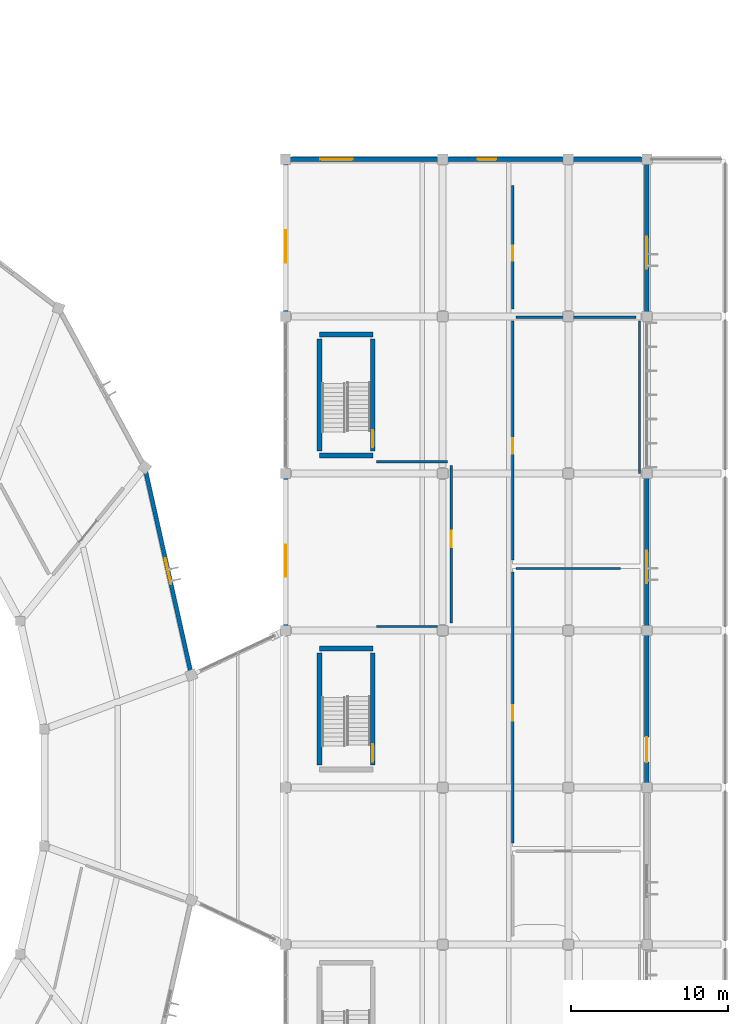
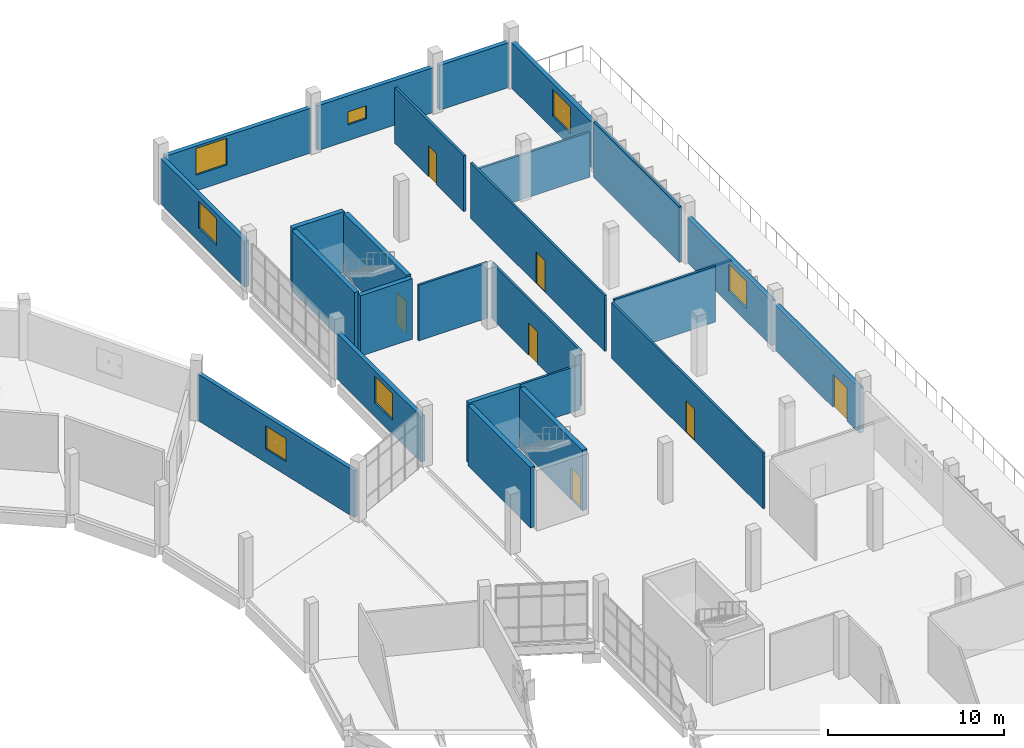
# One storey, part 106 of 142: 25 walls, 7 doors, 7 windows, 14 openings.
"""IFC4 building model written with IfcOpenShell, lengths in metres."""

from ifc_helpers import new_model, si_unit, direction, frame, frame_2d, origin, place, context, subcontext, project, spatial, rectangle, extrude, material, layer, layer_set, type_object, element, fill, save


model = new_model("IFC4")

# Units and contexts
model_context = context("Model", 3, precision=1e-05, world=origin(), true_north=direction((0.0, 1.0)))
body_context = subcontext(model_context, "Body", "Model", "MODEL_VIEW")
ifc_project = project(units=[si_unit("LENGTHUNIT", "METRE"), si_unit("AREAUNIT", "SQUARE_METRE"), si_unit("VOLUMEUNIT", "CUBIC_METRE"), si_unit("PLANEANGLEUNIT", "RADIAN"), si_unit("MASSUNIT", "GRAM", prefix="KILO")], contexts=[model_context])

# Site, building, storey
site_placement = place(None, origin())
site = spatial("IfcSite", under=ifc_project, at=site_placement, CompositionType="ELEMENT")
building_placement = place(site_placement, origin())
building = spatial("IfcBuilding", under=site, at=building_placement, Name="Corvandel Quay Wholesale Market", CompositionType="ELEMENT")
storey_placement = place(building_placement, frame((0.0, 0.0, 10.800048828125)))
storey = spatial("IfcBuildingStorey", under=building, at=storey_placement, Name="L02", CompositionType="ELEMENT", Elevation=10.800048828125)

# Wall, opening, door
ifc_material_1 = material(Name="Buff-pigmented precast concrete C45/55", Category="concrete")
ifc_layer_1 = layer(ifc_material_1, 0.280029296875)
ifc_layer_set_1 = layer_set([ifc_layer_1], Name="Buff-pigmented precast concrete C45/55")
wall_type_1 = type_object("IfcWallType", Name="Colonnade Spandrel Precast Wall EW07 280", PredefinedType="SOLIDWALL", material=ifc_layer_set_1)
wall_1_placement = place(storey_placement, frame((243.0, 60.219970703125, 0.0), z_axis=(0.0, 0.0, 1.0), x_axis=(0.0, 1.0, 0.0)))
wall_1 = element("IfcWall", 1, at=wall_1_placement, inside=storey, type_object=wall_type_1, Name="Exterior Wall EW-0371", PredefinedType="SOLIDWALL", context=body_context, shape_type="SweptSolid", body=[
    extrude(rectangle(XDim=9.56005859375, YDim=0.280029296875, at=frame_2d((4.780029296875, 0.0))), origin(), (0.0, 0.0, 1.0), 3.159912109375),
])
opening_1_placement = place(wall_1_placement, frame((1.39990234375, 0.0, 0.0)))
opening_1 = element("IfcOpeningElement", 2, at=opening_1_placement, cuts=wall_1, Name="Opening L02-D006", PredefinedType="OPENING", context=body_context, shape_type="SweptSolid", body=[
    extrude(rectangle(XDim=1.60009765625, YDim=2.300048828125, at=frame_2d((0.800048828125, 1.14990234375))), frame((0.0, 0.14990234375, 0.0), z_axis=(0.0, -1.0, 0.0), x_axis=(1.0, 0.0, 0.0)), (0.0, 0.0, 1.0), 0.300048828125),
])
ifc_material_2 = material(Name="Bronze anodised aluminium and low-E glass", Category="aluminium")
door_type_1 = type_object("IfcDoorType", Name="Terrace Garden Access Door ED04 1600x2300", OperationType="DOUBLE_DOOR_SINGLE_SWING", PredefinedType="DOOR", material=ifc_material_2)
door_1_placement = place(opening_1_placement, origin())
door_1 = element("IfcDoor", 3, at=door_1_placement, inside=storey, type_object=door_type_1, Name="Harbour Setback Terrace Door L02-60", OperationType="DOUBLE_DOOR_SINGLE_SWING", OverallHeight=2.300048828125, OverallWidth=1.60009765625, PredefinedType="DOOR", context=body_context, shape_type="SweptSolid", body=[
    extrude(rectangle(XDim=1.60009765625, YDim=2.300048828125, at=frame_2d((0.800048828125, 1.14990234375))), frame((0.0, 0.02490234375, 0.0), z_axis=(0.0, -1.0, 0.0), x_axis=(1.0, 0.0, 0.0)), (0.0, 0.0, 1.0), 0.050048828125),
])
fill(opening_1, door_1)

# Wall, opening, window
wall_2_placement = place(storey_placement, frame((243.0, 70.219970703125, 0.0), z_axis=(0.0, 0.0, 1.0), x_axis=(0.0, 1.0, 0.0)))
wall_2 = element("IfcWall", 4, at=wall_2_placement, inside=storey, type_object=wall_type_1, Name="Exterior Wall EW-0372", PredefinedType="SOLIDWALL", context=body_context, shape_type="SweptSolid", body=[
    extrude(rectangle(XDim=9.56005859375, YDim=0.280029296875, at=frame_2d((4.780029296875, 0.0))), origin(), (0.0, 0.0, 1.0), 3.159912109375),
])
opening_2_placement = place(wall_2_placement, frame((2.800048828125, 0.0, 0.89990234375)))
opening_2 = element("IfcOpeningElement", 5, at=opening_2_placement, cuts=wall_2, Name="Opening L02-W067", PredefinedType="OPENING", context=body_context, shape_type="SweptSolid", body=[
    extrude(rectangle(XDim=2.050048828125, YDim=1.85009765625, at=frame_2d((1.02490234375, 0.925048828125))), frame((0.0, 0.14990234375, 0.0), z_axis=(0.0, -1.0, 0.0), x_axis=(1.0, 0.0, 0.0)), (0.0, 0.0, 1.0), 0.300048828125),
])
ifc_material_3 = material(Name="Thermally broken bronze anodised aluminium and solar-control low-E double glazing", Category="aluminium")
window_type_1 = type_object("IfcWindowType", Name="Traders Office Module Window WN19 2050x1850", PartitioningType="SINGLE_PANEL", PredefinedType="WINDOW", material=ifc_material_3)
window_1_placement = place(opening_2_placement, origin())
window_1 = element("IfcWindow", 6, at=window_1_placement, inside=storey, type_object=window_type_1, Name="Window L02-W067", OverallHeight=1.85009765625, OverallWidth=2.050048828125, PartitioningType="SINGLE_PANEL", PredefinedType="WINDOW", context=body_context, shape_type="SweptSolid", body=[
    extrude(rectangle(XDim=2.050048828125, YDim=1.85009765625, at=frame_2d((1.02490234375, 0.925048828125))), frame((0.0, 0.030029296875, 0.0), z_axis=(0.0, -1.0, 0.0), x_axis=(1.0, 0.0, 0.0)), (0.0, 0.0, 1.0), 0.06005859375),
])
fill(opening_2, window_1)

wall_3_placement = place(storey_placement, frame((220.0, 70.219970703125, 0.0), z_axis=(0.0, 0.0, 1.0), x_axis=(0.0, 1.0, 0.0)))
wall_3 = element("IfcWall", 7, at=wall_3_placement, inside=storey, type_object=wall_type_1, Name="Exterior Wall EW-0373", PredefinedType="SOLIDWALL", context=body_context, shape_type="SweptSolid", body=[
    extrude(rectangle(XDim=9.56005859375, YDim=0.280029296875, at=frame_2d((4.780029296875, 0.0))), origin(), (0.0, 0.0, 1.0), 3.159912109375),
])
opening_3_placement = place(wall_3_placement, frame((3.199951171875, 0.0, 0.949951171875)))
opening_3 = element("IfcOpeningElement", 8, at=opening_3_placement, cuts=wall_3, Name="Opening L02-W068", PredefinedType="OPENING", context=body_context, shape_type="SweptSolid", body=[
    extrude(rectangle(XDim=2.050048828125, YDim=1.85009765625, at=frame_2d((1.02490234375, 0.925048828125))), frame((0.0, 0.14990234375, 0.0), z_axis=(0.0, -1.0, 0.0), x_axis=(1.0, 0.0, 0.0)), (0.0, 0.0, 1.0), 0.300048828125),
])
window_2_placement = place(opening_3_placement, origin())
window_2 = element("IfcWindow", 9, at=window_2_placement, inside=storey, type_object=window_type_1, Name="Window L02-W068", OverallHeight=1.85009765625, OverallWidth=2.050048828125, PartitioningType="SINGLE_PANEL", PredefinedType="WINDOW", context=body_context, shape_type="SweptSolid", body=[
    extrude(rectangle(XDim=2.050048828125, YDim=1.85009765625, at=frame_2d((1.02490234375, 0.925048828125))), frame((0.0, 0.030029296875, 0.0), z_axis=(0.0, -1.0, 0.0), x_axis=(1.0, 0.0, 0.0)), (0.0, 0.0, 1.0), 0.06005859375),
])
fill(opening_3, window_2)

wall_4_placement = place(storey_placement, frame((243.0, 90.219970703125, 0.0), z_axis=(0.0, 0.0, 1.0), x_axis=(0.0, 1.0, 0.0)))
wall_4 = element("IfcWall", 10, at=wall_4_placement, inside=storey, type_object=wall_type_1, Name="Exterior Wall EW-0374", PredefinedType="SOLIDWALL", context=body_context, shape_type="SweptSolid", body=[
    extrude(rectangle(XDim=9.56005859375, YDim=0.280029296875, at=frame_2d((4.780029296875, 0.0))), origin(), (0.0, 0.0, 1.0), 3.159912109375),
])
opening_4_placement = place(wall_4_placement, frame((2.800048828125, 0.0, 0.89990234375)))
opening_4 = element("IfcOpeningElement", 11, at=opening_4_placement, cuts=wall_4, Name="Opening L02-W069", PredefinedType="OPENING", context=body_context, shape_type="SweptSolid", body=[
    extrude(rectangle(XDim=2.050048828125, YDim=1.85009765625, at=frame_2d((1.02490234375, 0.925048828125))), frame((0.0, 0.14990234375, 0.0), z_axis=(0.0, -1.0, 0.0), x_axis=(1.0, 0.0, 0.0)), (0.0, 0.0, 1.0), 0.300048828125),
])
window_3_placement = place(opening_4_placement, origin())
window_3 = element("IfcWindow", 12, at=window_3_placement, inside=storey, type_object=window_type_1, Name="Window L02-W069", OverallHeight=1.85009765625, OverallWidth=2.050048828125, PartitioningType="SINGLE_PANEL", PredefinedType="WINDOW", context=body_context, shape_type="SweptSolid", body=[
    extrude(rectangle(XDim=2.050048828125, YDim=1.85009765625, at=frame_2d((1.02490234375, 0.925048828125))), frame((0.0, 0.030029296875, 0.0), z_axis=(0.0, -1.0, 0.0), x_axis=(1.0, 0.0, 0.0)), (0.0, 0.0, 1.0), 0.06005859375),
])
fill(opening_4, window_3)

wall_5_placement = place(storey_placement, frame((220.0, 90.219970703125, 0.0), z_axis=(0.0, 0.0, 1.0), x_axis=(0.0, 1.0, 0.0)))
wall_5 = element("IfcWall", 13, at=wall_5_placement, inside=storey, type_object=wall_type_1, Name="Exterior Wall EW-0375", PredefinedType="SOLIDWALL", context=body_context, shape_type="SweptSolid", body=[
    extrude(rectangle(XDim=9.56005859375, YDim=0.280029296875, at=frame_2d((4.780029296875, 0.0))), origin(), (0.0, 0.0, 1.0), 3.159912109375),
])
opening_5_placement = place(wall_5_placement, frame((3.199951171875, 0.0, 0.949951171875)))
opening_5 = element("IfcOpeningElement", 14, at=opening_5_placement, cuts=wall_5, Name="Opening L02-W070", PredefinedType="OPENING", context=body_context, shape_type="SweptSolid", body=[
    extrude(rectangle(XDim=2.050048828125, YDim=1.85009765625, at=frame_2d((1.02490234375, 0.925048828125))), frame((0.0, 0.14990234375, 0.0), z_axis=(0.0, -1.0, 0.0), x_axis=(1.0, 0.0, 0.0)), (0.0, 0.0, 1.0), 0.300048828125),
])
window_4_placement = place(opening_5_placement, origin())
window_4 = element("IfcWindow", 15, at=window_4_placement, inside=storey, type_object=window_type_1, Name="Window L02-W070", OverallHeight=1.85009765625, OverallWidth=2.050048828125, PartitioningType="SINGLE_PANEL", PredefinedType="WINDOW", context=body_context, shape_type="SweptSolid", body=[
    extrude(rectangle(XDim=2.050048828125, YDim=1.85009765625, at=frame_2d((1.02490234375, 0.925048828125))), frame((0.0, 0.030029296875, 0.0), z_axis=(0.0, -1.0, 0.0), x_axis=(1.0, 0.0, 0.0)), (0.0, 0.0, 1.0), 0.06005859375),
])
fill(opening_5, window_4)

wall_6_placement = place(storey_placement, frame((220.219970703125, 100.0, 0.0), z_axis=(0.0, 0.0, 1.0), x_axis=(1.0, 0.0, 0.0)))
wall_6 = element("IfcWall", 16, at=wall_6_placement, inside=storey, type_object=wall_type_1, Name="Exterior Wall EW-0377", PredefinedType="SOLIDWALL", context=body_context, shape_type="SweptSolid", body=[
    extrude(rectangle(XDim=9.56005859375, YDim=0.280029296875, at=frame_2d((4.780029296875, 0.0))), origin(), (0.0, 0.0, 1.0), 3.10986328125),
])
opening_6_placement = place(wall_6_placement, frame((2.0, 0.0, 1.10009765625)))
opening_6 = element("IfcOpeningElement", 17, at=opening_6_placement, cuts=wall_6, Name="Opening L02-W072", PredefinedType="OPENING", context=body_context, shape_type="SweptSolid", body=[
    extrude(rectangle(XDim=2.050048828125, YDim=1.85009765625, at=frame_2d((1.02490234375, 0.925048828125))), frame((0.0, 0.14990234375, 0.0), z_axis=(0.0, -1.0, 0.0), x_axis=(1.0, 0.0, 0.0)), (0.0, 0.0, 1.0), 0.300048828125),
])
window_5_placement = place(opening_6_placement, origin())
window_5 = element("IfcWindow", 18, at=window_5_placement, inside=storey, type_object=window_type_1, Name="Window L02-W072", OverallHeight=1.85009765625, OverallWidth=2.050048828125, PartitioningType="SINGLE_PANEL", PredefinedType="WINDOW", context=body_context, shape_type="SweptSolid", body=[
    extrude(rectangle(XDim=2.050048828125, YDim=1.85009765625, at=frame_2d((1.02490234375, 0.925048828125))), frame((0.0, 0.030029296875, 0.0), z_axis=(0.0, -1.0, 0.0), x_axis=(1.0, 0.0, 0.0)), (0.0, 0.0, 1.0), 0.06005859375),
])
fill(opening_6, window_5)

wall_7_placement = place(storey_placement, frame((230.219970703125, 100.0, 0.0), z_axis=(0.0, 0.0, 1.0), x_axis=(1.0, 0.0, 0.0)))
wall_7 = element("IfcWall", 19, at=wall_7_placement, inside=storey, type_object=wall_type_1, Name="Exterior Wall EW-0379", PredefinedType="SOLIDWALL", context=body_context, shape_type="SweptSolid", body=[
    extrude(rectangle(XDim=7.56005859375, YDim=0.280029296875, at=frame_2d((3.780029296875, 0.0))), origin(), (0.0, 0.0, 1.0), 3.10986328125),
])
opening_7_placement = place(wall_7_placement, frame((2.0, 0.0, 1.10009765625)))
opening_7 = element("IfcOpeningElement", 20, at=opening_7_placement, cuts=wall_7, Name="Opening L02-W074", PredefinedType="OPENING", context=body_context, shape_type="SweptSolid", body=[
    extrude(rectangle(XDim=1.199951171875, YDim=0.89990234375, at=frame_2d((0.60009765625, 0.449951171875))), frame((0.0, 0.14990234375, 0.0), z_axis=(0.0, -1.0, 0.0), x_axis=(1.0, 0.0, 0.0)), (0.0, 0.0, 1.0), 0.300048828125),
])
window_type_2 = type_object("IfcWindowType", Name="Restroom Frosted Clerestory WN22 1200x900", PartitioningType="SINGLE_PANEL", PredefinedType="WINDOW", material=ifc_material_3)
window_6_placement = place(opening_7_placement, origin())
window_6 = element("IfcWindow", 21, at=window_6_placement, inside=storey, type_object=window_type_2, Name="Window L02-W074", OverallHeight=0.89990234375, OverallWidth=1.199951171875, PartitioningType="SINGLE_PANEL", PredefinedType="WINDOW", context=body_context, shape_type="SweptSolid", body=[
    extrude(rectangle(XDim=1.199951171875, YDim=0.89990234375, at=frame_2d((0.60009765625, 0.449951171875))), frame((0.0, 0.030029296875, 0.0), z_axis=(0.0, -1.0, 0.0), x_axis=(1.0, 0.0, 0.0)), (0.0, 0.0, 1.0), 0.06005859375),
])
fill(opening_7, window_6)

# Wall
wall_8_placement = place(storey_placement, frame((238.219970703125, 100.0, 0.0), z_axis=(0.0, 0.0, 1.0), x_axis=(1.0, 0.0, 0.0)))
element("IfcWall", 22, at=wall_8_placement, inside=storey, type_object=wall_type_1, Name="Exterior Wall EW-0381", PredefinedType="SOLIDWALL", context=body_context, shape_type="SweptSolid", body=[
    extrude(rectangle(XDim=4.56005859375, YDim=0.280029296875, at=frame_2d((2.280029296875, 0.0))), origin(), (0.0, 0.0, 1.0), 3.10986328125),
])

# Wall, opening, door
ifc_material_4 = material(Name="Double-layer acoustic gypsum stud partition")
ifc_layer_2 = layer(ifc_material_4, 0.139892578125)
ifc_layer_set_2 = layer_set([ifc_layer_2], Name="Double-layer acoustic gypsum stud partition")
wall_type_2 = type_object("IfcWallType", Name="Office Acoustic Partition PT07 140", PredefinedType="PARTITIONING", material=ifc_layer_set_2)
wall_9_placement = place(storey_placement, frame((234.4599609375, 56.47998046875, 0.0), z_axis=(0.0, 0.0, 1.0), x_axis=(0.0, 1.0, 0.0)))
wall_9 = element("IfcWall", 23, at=wall_9_placement, inside=storey, type_object=wall_type_2, Name="Interior Wall IW-0894", PredefinedType="PARTITIONING", context=body_context, shape_type="SweptSolid", body=[
    extrude(rectangle(XDim=17.239990234375, YDim=0.139892578125, at=frame_2d((8.6201171875, 0.0))), origin(), (0.0, 0.0, 1.0), 3.85986328125),
])
opening_8_placement = place(wall_9_placement, frame((7.77001953125, 0.0, 0.0)))
opening_8 = element("IfcOpeningElement", 24, at=opening_8_placement, cuts=wall_9, Name="Opening L02-D051", PredefinedType="OPENING", context=body_context, shape_type="SweptSolid", body=[
    extrude(rectangle(XDim=1.0, YDim=2.199951171875, at=frame_2d((0.5, 1.10009765625))), frame((0.0, 0.079833984375, 0.0), z_axis=(0.0, -1.0, 0.0), x_axis=(1.0, 0.0, 0.0)), (0.0, 0.0, 1.0), 0.159912109375),
])
ifc_material_5 = material(Name="Stained oak solid-core acoustic timber", Category="wood")
door_type_2 = type_object("IfcDoorType", Name="Office Entry Door ID09 1000x2200L", OperationType="SINGLE_SWING_LEFT", PredefinedType="DOOR", material=ifc_material_5)
door_2_placement = place(opening_8_placement, origin())
door_2 = element("IfcDoor", 25, at=door_2_placement, inside=storey, type_object=door_type_2, Name="Market Customs and Phytosanitary Office Door", OperationType="SINGLE_SWING_LEFT", OverallHeight=2.199951171875, OverallWidth=1.0, PredefinedType="DOOR", context=body_context, shape_type="SweptSolid", body=[
    extrude(rectangle(XDim=1.0, YDim=2.199951171875, at=frame_2d((0.5, 1.10009765625))), frame((0.0, 0.02490234375, 0.0), z_axis=(0.0, -1.0, 0.0), x_axis=(1.0, 0.0, 0.0)), (0.0, 0.0, 1.0), 0.050048828125),
])
fill(opening_8, door_2)

# Wall
wall_10_placement = place(storey_placement, frame((234.679931640625, 73.93994140625, 0.0), z_axis=(0.0, 0.0, 1.0), x_axis=(1.0, 0.0, 0.0)))
element("IfcWall", 26, at=wall_10_placement, inside=storey, type_object=wall_type_2, Name="Interior Wall IW-0895", PredefinedType="PARTITIONING", context=body_context, shape_type="SweptSolid", body=[
    extrude(rectangle(XDim=6.650146484375, YDim=0.139892578125, at=frame_2d((3.3251953125, 0.0))), origin(), (0.0, 0.0, 1.0), 3.85986328125),
])

# Wall, opening, door
wall_11_placement = place(storey_placement, frame((234.4599609375, 74.47998046875, 0.0), z_axis=(0.0, 0.0, 1.0), x_axis=(0.0, 1.0, 0.0)))
wall_11 = element("IfcWall", 27, at=wall_11_placement, inside=storey, type_object=wall_type_2, Name="Interior Wall IW-0896", PredefinedType="PARTITIONING", context=body_context, shape_type="SweptSolid", body=[
    extrude(rectangle(XDim=15.239990234375, YDim=0.139892578125, at=frame_2d((7.6201171875, 0.0))), origin(), (0.0, 0.0, 1.0), 3.85986328125),
])
opening_9_placement = place(wall_11_placement, frame((6.77001953125, 0.0, 0.0)))
opening_9 = element("IfcOpeningElement", 28, at=opening_9_placement, cuts=wall_11, Name="Opening L02-D052", PredefinedType="OPENING", context=body_context, shape_type="SweptSolid", body=[
    extrude(rectangle(XDim=1.0, YDim=2.199951171875, at=frame_2d((0.5, 1.10009765625))), frame((0.0, 0.079833984375, 0.0), z_axis=(0.0, -1.0, 0.0), x_axis=(1.0, 0.0, 0.0)), (0.0, 0.0, 1.0), 0.159912109375),
])
door_type_3 = type_object("IfcDoorType", Name="Office Entry Door ID10 1000x2200R", OperationType="SINGLE_SWING_RIGHT", PredefinedType="DOOR", material=ifc_material_5)
door_3_placement = place(opening_9_placement, origin())
door_3 = element("IfcDoor", 29, at=door_3_placement, inside=storey, type_object=door_type_3, Name="Growers Credit Union and Trade Bank Suite Door", OperationType="SINGLE_SWING_RIGHT", OverallHeight=2.199951171875, OverallWidth=1.0, PredefinedType="DOOR", context=body_context, shape_type="SweptSolid", body=[
    extrude(rectangle(XDim=1.0, YDim=2.199951171875, at=frame_2d((0.5, 1.10009765625))), frame((0.0, 0.02490234375, 0.0), z_axis=(0.0, -1.0, 0.0), x_axis=(1.0, 0.0, 0.0)), (0.0, 0.0, 1.0), 0.050048828125),
])
fill(opening_9, door_3)

# Walls
wall_12_placement = place(storey_placement, frame((234.679931640625, 89.93994140625, 0.0), z_axis=(0.0, 0.0, 1.0), x_axis=(1.0, 0.0, 0.0)))
element("IfcWall", 30, at=wall_12_placement, inside=storey, type_object=wall_type_2, Name="Interior Wall IW-0897", PredefinedType="PARTITIONING", context=body_context, shape_type="SweptSolid", body=[
    extrude(rectangle(XDim=7.64013671875, YDim=0.139892578125, at=frame_2d((3.820068359375, 0.0))), origin(), (0.0, 0.0, 1.0), 3.10986328125),
])
wall_13_placement = place(storey_placement, frame((242.5400390625, 89.719970703125, 0.0), z_axis=(0.0, 0.0, 1.0), x_axis=(0.0, -1.0, 0.0)))
element("IfcWall", 31, at=wall_13_placement, inside=storey, type_object=wall_type_2, Name="Interior Wall IW-0898", PredefinedType="PARTITIONING", context=body_context, shape_type="SweptSolid", body=[
    extrude(rectangle(XDim=9.719970703125, YDim=0.139892578125, at=frame_2d((4.85986328125, 0.0))), origin(), (0.0, 0.0, 1.0), 3.85986328125),
])
wall_14_placement = place(storey_placement, frame((225.77001953125, 80.739990234375, 0.0), z_axis=(0.0, 0.0, 1.0), x_axis=(1.0, 0.0, 0.0)))
element("IfcWall", 32, at=wall_14_placement, inside=storey, type_object=wall_type_2, Name="Interior Wall IW-0903", PredefinedType="PARTITIONING", context=body_context, shape_type="SweptSolid", body=[
    extrude(rectangle(XDim=4.550048828125, YDim=0.139892578125, at=frame_2d((2.27490234375, 0.0))), origin(), (0.0, 0.0, 1.0), 3.85986328125),
])

# Wall, opening, door
wall_15_placement = place(storey_placement, frame((230.5400390625, 80.52001953125, 0.0), z_axis=(0.0, 0.0, 1.0), x_axis=(0.0, -1.0, 0.0)))
wall_15 = element("IfcWall", 33, at=wall_15_placement, inside=storey, type_object=wall_type_2, Name="Interior Wall IW-0904", PredefinedType="PARTITIONING", context=body_context, shape_type="SweptSolid", body=[
    extrude(rectangle(XDim=10.0400390625, YDim=0.139892578125, at=frame_2d((5.02001953125, 0.0))), origin(), (0.0, 0.0, 1.0), 3.85986328125),
])
opening_10_placement = place(wall_15_placement, frame((4.169921875, 0.0, 0.0)))
opening_10 = element("IfcOpeningElement", 34, at=opening_10_placement, cuts=wall_15, Name="Opening L02-D055", PredefinedType="OPENING", context=body_context, shape_type="SweptSolid", body=[
    extrude(rectangle(XDim=1.050048828125, YDim=2.25, at=frame_2d((0.52490234375, 1.125))), frame((0.0, 0.079833984375, 0.0), z_axis=(0.0, -1.0, 0.0), x_axis=(1.0, 0.0, 0.0)), (0.0, 0.0, 1.0), 0.159912109375),
])
ifc_material_6 = material(Name="Stained oak acoustic glazed timber", Category="wood")
door_type_4 = type_object("IfcDoorType", Name="Meeting Room Door ID11 1050x2250L", OperationType="SINGLE_SWING_LEFT", PredefinedType="DOOR", material=ifc_material_6)
door_4_placement = place(opening_10_placement, origin())
door_4 = element("IfcDoor", 35, at=door_4_placement, inside=storey, type_object=door_type_4, Name="Traders Meeting Room L02 Door", OperationType="SINGLE_SWING_LEFT", OverallHeight=2.25, OverallWidth=1.050048828125, PredefinedType="DOOR", context=body_context, shape_type="SweptSolid", body=[
    extrude(rectangle(XDim=1.050048828125, YDim=2.25, at=frame_2d((0.52490234375, 1.125))), frame((0.0, 0.02490234375, 0.0), z_axis=(0.0, -1.0, 0.0), x_axis=(1.0, 0.0, 0.0)), (0.0, 0.0, 1.0), 0.050048828125),
])
fill(opening_10, door_4)

# Wall
wall_16_placement = place(storey_placement, frame((230.320068359375, 70.260009765625, 0.0), z_axis=(0.0, 0.0, 1.0), x_axis=(-1.0, 0.0, 0.0)))
element("IfcWall", 36, at=wall_16_placement, inside=storey, type_object=wall_type_2, Name="Interior Wall IW-0905", PredefinedType="PARTITIONING", context=body_context, shape_type="SweptSolid", body=[
    extrude(rectangle(XDim=4.550048828125, YDim=0.139892578125, at=frame_2d((2.27490234375, 0.0))), origin(), (0.0, 0.0, 1.0), 3.10986328125),
])

# Wall, opening, window
ifc_material_7 = material(Name="Terracotta precast concrete C45/55", Category="masonry")
ifc_layer_3 = layer(ifc_material_7, 0.260009765625)
ifc_layer_set_3 = layer_set([ifc_layer_3], Name="Terracotta precast concrete C45/55")
wall_type_3 = type_object("IfcWallType", Name="Pavilion Pilaster Infill Wall EW08 260", PredefinedType="SOLIDWALL", material=ifc_layer_set_3)
wall_17_placement = place(storey_placement, frame((213.951904296875, 67.375732421875, 0.0), z_axis=(0.0, 0.0, 1.0), x_axis=(-0.218965309906, 0.975732644251, 0.0)))
wall_17 = element("IfcWall", 37, at=wall_17_placement, inside=storey, type_object=wall_type_3, Name="Exterior Wall EW-0159", PredefinedType="SOLIDWALL", context=body_context, shape_type="SweptSolid", body=[
    extrude(rectangle(XDim=13.119873046875, YDim=0.260009765625, at=frame_2d((6.56005859375, 0.0))), origin(), (0.0, 0.0, 1.0), 3.22998046875),
])
opening_11_placement = place(wall_17_placement, frame((5.7099609375, 0.0, 0.949951171875)))
opening_11 = element("IfcOpeningElement", 38, at=opening_11_placement, cuts=wall_17, Name="Opening L02-W026", PredefinedType="OPENING", context=body_context, shape_type="SweptSolid", body=[
    extrude(rectangle(XDim=1.699951171875, YDim=1.60009765625, at=frame_2d((0.85009765625, 0.800048828125))), frame((0.0, 0.139892578125, 0.0), z_axis=(0.0, -1.0, 0.0), x_axis=(1.0, 0.0, 0.0)), (0.0, 0.0, 1.0), 0.280029296875),
])
window_type_3 = type_object("IfcWindowType", Name="Auction Viewing Window WN13 1700x1600", PartitioningType="SINGLE_PANEL", PredefinedType="WINDOW", material=ifc_material_3)
window_7_placement = place(opening_11_placement, origin())
window_7 = element("IfcWindow", 39, at=window_7_placement, inside=storey, type_object=window_type_3, Name="Window L02-W026", OverallHeight=1.60009765625, OverallWidth=1.699951171875, PartitioningType="SINGLE_PANEL", PredefinedType="WINDOW", context=body_context, shape_type="SweptSolid", body=[
    extrude(rectangle(XDim=1.699951171875, YDim=1.60009765625, at=frame_2d((0.85009765625, 0.800048828125))), frame((0.0, 0.030029296875, 0.0), z_axis=(0.0, -1.0, 0.0), x_axis=(1.0, 0.0, 0.0)), (0.0, 0.0, 1.0), 0.06005859375),
])
fill(opening_11, window_7)

# Wall, opening, door
ifc_material_8 = material(Name="Moisture-resistant tile-backer partition")
ifc_layer_4 = layer(ifc_material_8, 0.159912109375)
ifc_layer_set_4 = layer_set([ifc_layer_4], Name="Moisture-resistant tile-backer partition")
wall_type_4 = type_object("IfcWallType", Name="Sanitary Tile Partition PT06 160", PredefinedType="PARTITIONING", material=ifc_layer_set_4)
wall_18_placement = place(storey_placement, frame((234.4599609375, 90.47998046875, 0.0), z_axis=(0.0, 0.0, 1.0), x_axis=(0.0, 1.0, 0.0)))
wall_18 = element("IfcWall", 40, at=wall_18_placement, inside=storey, type_object=wall_type_4, Name="Interior Wall IW-0899", PredefinedType="PARTITIONING", context=body_context, shape_type="SweptSolid", body=[
    extrude(rectangle(XDim=7.85009765625, YDim=0.159912109375, at=frame_2d((3.925048828125, 0.0))), origin(), (0.0, 0.0, 1.0), 3.85986328125),
])
opening_12_placement = place(wall_18_placement, frame((3.074951171875, 0.0, 0.0)))
opening_12 = element("IfcOpeningElement", 41, at=opening_12_placement, cuts=wall_18, Name="Opening L02-D053", PredefinedType="OPENING", context=body_context, shape_type="SweptSolid", body=[
    extrude(rectangle(XDim=0.949951171875, YDim=2.14990234375, at=frame_2d((0.47509765625, 1.074951171875))), frame((0.0, 0.08984375, 0.0), z_axis=(0.0, -1.0, 0.0), x_axis=(1.0, 0.0, 0.0)), (0.0, 0.0, 1.0), 0.179931640625),
])
ifc_material_9 = material(Name="Moisture-resistant HPL solid core")
door_type_5 = type_object("IfcDoorType", Name="Accessible Restroom Door ID13 950x2150L", OperationType="SINGLE_SWING_LEFT", PredefinedType="DOOR", material=ifc_material_9)
door_5_placement = place(opening_12_placement, origin())
door_5 = element("IfcDoor", 42, at=door_5_placement, inside=storey, type_object=door_type_5, Name="Public Accessible Toilet V5 L02 Door", OperationType="SINGLE_SWING_LEFT", OverallHeight=2.14990234375, OverallWidth=0.949951171875, PredefinedType="DOOR", context=body_context, shape_type="SweptSolid", body=[
    extrude(rectangle(XDim=0.949951171875, YDim=2.14990234375, at=frame_2d((0.47509765625, 1.074951171875))), frame((0.0, 0.02490234375, 0.0), z_axis=(0.0, -1.0, 0.0), x_axis=(1.0, 0.0, 0.0)), (0.0, 0.0, 1.0), 0.050048828125),
])
fill(opening_12, door_5)

# Walls
ifc_material_10 = material(Name="Concrete C40/50", Category="concrete")
ifc_layer_5 = layer(ifc_material_10, 0.300048828125)
ifc_layer_set_5 = layer_set([ifc_layer_5], Name="Concrete C40/50")
wall_type_5 = type_object("IfcWallType", Name="Stair Shaft Shear Wall SW02 300", PredefinedType="SHEAR", material=ifc_layer_set_5)
wall_19_placement = place(storey_placement, frame((222.14990234375, 68.85009765625, 0.0), z_axis=(0.0, 0.0, 1.0), x_axis=(1.0, 0.0, 0.0)))
element("IfcWall", 43, at=wall_19_placement, inside=storey, type_object=wall_type_5, Name="Shear Wall IW-0202", PredefinedType="SHEAR", context=body_context, shape_type="SweptSolid", body=[
    extrude(rectangle(XDim=3.400146484375, YDim=0.300048828125, at=frame_2d((1.7001953125, 0.0))), origin(), (0.0, 0.0, 1.0), 4.199951171875),
])
wall_20_placement = place(storey_placement, frame((222.14990234375, 61.43994140625, 0.0), z_axis=(0.0, 0.0, 1.0), x_axis=(0.0, 1.0, 0.0)))
element("IfcWall", 44, at=wall_20_placement, inside=storey, type_object=wall_type_5, Name="Shear Wall IW-0203", PredefinedType="SHEAR", context=body_context, shape_type="SweptSolid", body=[
    extrude(rectangle(XDim=7.1201171875, YDim=0.300048828125, at=frame_2d((3.56005859375, 0.0))), origin(), (0.0, 0.0, 1.0), 4.199951171875),
])

# Wall, opening, door
wall_21_placement = place(storey_placement, frame((225.550048828125, 61.43994140625, 0.0), z_axis=(0.0, 0.0, 1.0), x_axis=(0.0, 1.0, 0.0)))
wall_21 = element("IfcWall", 45, at=wall_21_placement, inside=storey, type_object=wall_type_5, Name="Shear Wall IW-0204", PredefinedType="SHEAR", context=body_context, shape_type="SweptSolid", body=[
    extrude(rectangle(XDim=7.1201171875, YDim=0.300048828125, at=frame_2d((3.56005859375, 0.0))), origin(), (0.0, 0.0, 1.0), 4.199951171875),
])
opening_13_placement = place(wall_21_placement, frame((0.219970703125, 0.0, 0.0)))
opening_13 = element("IfcOpeningElement", 46, at=opening_13_placement, cuts=wall_21, Name="Opening L02-D019", PredefinedType="OPENING", context=body_context, shape_type="SweptSolid", body=[
    extrude(rectangle(XDim=1.10009765625, YDim=2.199951171875, at=frame_2d((0.550048828125, 1.10009765625))), frame((0.0, 0.159912109375, 0.0), z_axis=(0.0, -1.0, 0.0), x_axis=(1.0, 0.0, 0.0)), (0.0, 0.0, 1.0), 0.320068359375),
])
ifc_material_11 = material(Name="Galvanised fire-rated hollow steel", Category="steel")
door_type_6 = type_object("IfcDoorType", Name="Exit Stair Fire Door ID01 1100x2200L", OperationType="SINGLE_SWING_LEFT", PredefinedType="DOOR", material=ifc_material_11)
door_6_placement = place(opening_13_placement, origin())
door_6 = element("IfcDoor", 47, at=door_6_placement, inside=storey, type_object=door_type_6, Name="Exit Stair Door SH18-L02", OperationType="SINGLE_SWING_LEFT", OverallHeight=2.199951171875, OverallWidth=1.10009765625, PredefinedType="DOOR", context=body_context, shape_type="SweptSolid", body=[
    extrude(rectangle(XDim=1.10009765625, YDim=2.199951171875, at=frame_2d((0.550048828125, 1.10009765625))), frame((0.0, 0.02490234375, 0.0), z_axis=(0.0, -1.0, 0.0), x_axis=(1.0, 0.0, 0.0)), (0.0, 0.0, 1.0), 0.050048828125),
])
fill(opening_13, door_6)

# Walls
for number, where, z_axis, x_axis, name in (
    (48, (222.14990234375, 81.14990234375, 0.0), (0.0, 0.0, 1.0), (1.0, 0.0, 0.0), "Shear Wall IW-0233"),
    (49, (222.14990234375, 88.85009765625, 0.0), (0.0, 0.0, 1.0), (1.0, 0.0, 0.0), "Shear Wall IW-0234"),
):
    element("IfcWall", number, at=place(storey_placement, frame(where, z_axis=z_axis, x_axis=x_axis)), inside=storey, type_object=wall_type_5, Name=name, PredefinedType="SHEAR", context=body_context, shape_type="SweptSolid", body=[
        extrude(rectangle(XDim=3.400146484375, YDim=0.300048828125, at=frame_2d((1.7001953125, 0.0))), origin(), (0.0, 0.0, 1.0), 4.199951171875),
    ])
wall_22_placement = place(storey_placement, frame((222.14990234375, 81.43994140625, 0.0), z_axis=(0.0, 0.0, 1.0), x_axis=(0.0, 1.0, 0.0)))
element("IfcWall", 50, at=wall_22_placement, inside=storey, type_object=wall_type_5, Name="Shear Wall IW-0235", PredefinedType="SHEAR", context=body_context, shape_type="SweptSolid", body=[
    extrude(rectangle(XDim=7.1201171875, YDim=0.300048828125, at=frame_2d((3.56005859375, 0.0))), origin(), (0.0, 0.0, 1.0), 4.199951171875),
])

# Wall, opening, door
wall_23_placement = place(storey_placement, frame((225.550048828125, 81.43994140625, 0.0), z_axis=(0.0, 0.0, 1.0), x_axis=(0.0, 1.0, 0.0)))
wall_23 = element("IfcWall", 51, at=wall_23_placement, inside=storey, type_object=wall_type_5, Name="Shear Wall IW-0236", PredefinedType="SHEAR", context=body_context, shape_type="SweptSolid", body=[
    extrude(rectangle(XDim=7.1201171875, YDim=0.300048828125, at=frame_2d((3.56005859375, 0.0))), origin(), (0.0, 0.0, 1.0), 4.199951171875),
])
opening_14_placement = place(wall_23_placement, frame((0.219970703125, 0.0, 0.0)))
opening_14 = element("IfcOpeningElement", 52, at=opening_14_placement, cuts=wall_23, Name="Opening L02-D021", PredefinedType="OPENING", context=body_context, shape_type="SweptSolid", body=[
    extrude(rectangle(XDim=1.10009765625, YDim=2.199951171875, at=frame_2d((0.550048828125, 1.10009765625))), frame((0.0, 0.159912109375, 0.0), z_axis=(0.0, -1.0, 0.0), x_axis=(1.0, 0.0, 0.0)), (0.0, 0.0, 1.0), 0.320068359375),
])
door_7_placement = place(opening_14_placement, origin())
door_7 = element("IfcDoor", 53, at=door_7_placement, inside=storey, type_object=door_type_6, Name="Exit Stair Door SH20-L02", OperationType="SINGLE_SWING_LEFT", OverallHeight=2.199951171875, OverallWidth=1.10009765625, PredefinedType="DOOR", context=body_context, shape_type="SweptSolid", body=[
    extrude(rectangle(XDim=1.10009765625, YDim=2.199951171875, at=frame_2d((0.550048828125, 1.10009765625))), frame((0.0, 0.02490234375, 0.0), z_axis=(0.0, -1.0, 0.0), x_axis=(1.0, 0.0, 0.0)), (0.0, 0.0, 1.0), 0.050048828125),
])
fill(opening_14, door_7)

save(model, "model.ifc")
